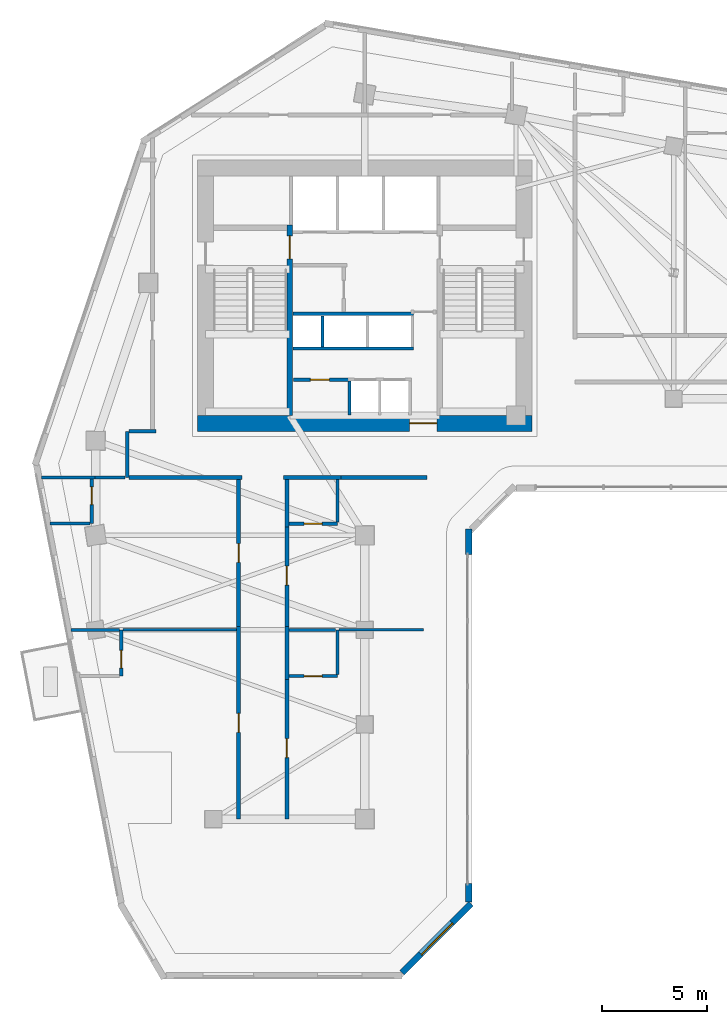
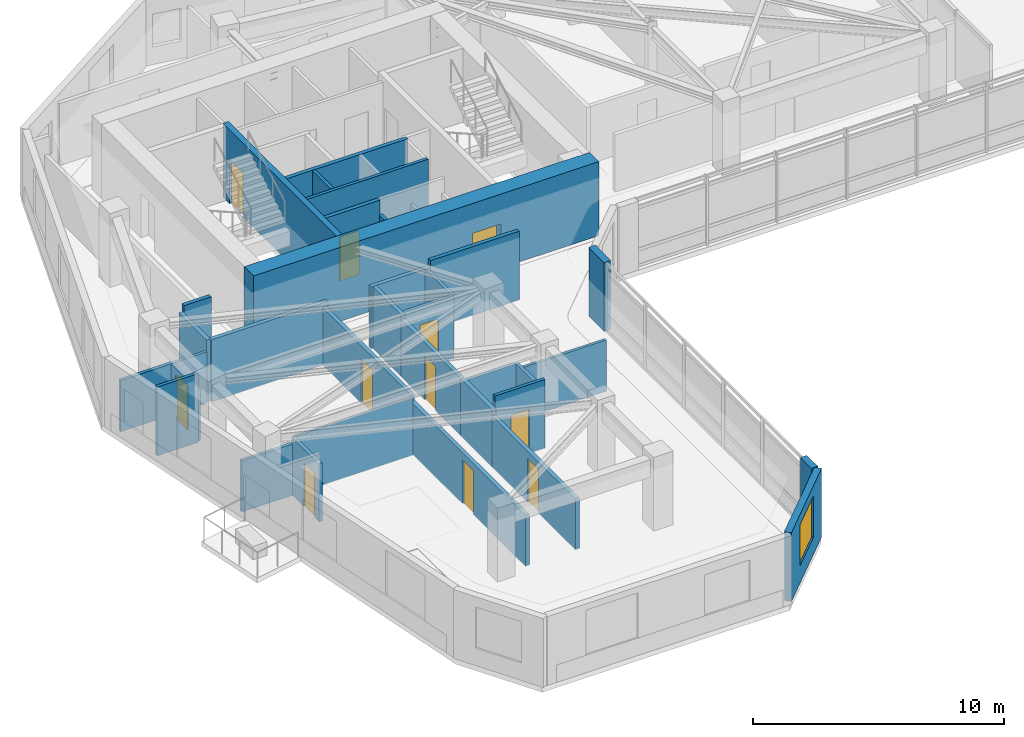
# One storey, part 5 of 11: 34 walls, 11 doors, 1 window, 12 openings.
"""IFC4 building model written with IfcOpenShell, lengths in metres."""

from ifc_helpers import new_model, si_unit, direction, frame, frame_2d, origin, place, context, subcontext, project, spatial, rectangle, extrude, source, transform, mapped, material, layer, layer_set, type_object, element, fill, save


model = new_model("IFC4")

# Units and contexts
model_context = context("Model", 3, precision=1e-05, world=origin(), true_north=direction((0.0, 1.0)))
body_context = subcontext(model_context, "Body", "Model", "MODEL_VIEW")
ifc_project = project(units=[si_unit("LENGTHUNIT", "METRE"), si_unit("AREAUNIT", "SQUARE_METRE"), si_unit("VOLUMEUNIT", "CUBIC_METRE"), si_unit("PLANEANGLEUNIT", "RADIAN"), si_unit("MASSUNIT", "GRAM", prefix="KILO")], contexts=[model_context])

# Site, building, storey
site_placement = place(None, origin())
site = spatial("IfcSite", under=ifc_project, at=site_placement, CompositionType="ELEMENT")
building_placement = place(site_placement, origin())
building = spatial("IfcBuilding", under=site, at=building_placement, Name="Calvemar Wedge Station Tower", CompositionType="ELEMENT")
storey_placement = place(building_placement, frame((0.0, 0.0, 117.800048828125)))
storey = spatial("IfcBuildingStorey", under=building, at=storey_placement, Name="L28", CompositionType="ELEMENT", Elevation=117.800048828125)

# Wall, opening, door
ifc_material_1 = material(Name="Concrete C50", Category="concrete")
ifc_layer_1 = layer(ifc_material_1, 0.260009765625)
ifc_layer_set_1 = layer_set([ifc_layer_1], Name="Concrete C50")
wall_type_1 = type_object("IfcWallType", Name="SW-CORE-260", PredefinedType="SHEAR", material=ifc_layer_set_1)
wall_1_placement = place(storey_placement, frame((20.22998046875, 34.199951171875, 0.0), z_axis=(0.0, 0.0, 1.0), x_axis=(0.0, 1.0, 0.0)))
wall_1 = element("IfcWall", 1, at=wall_1_placement, inside=storey, type_object=wall_type_1, Name="Storey L28 Core Shear Wall SPINE-W", PredefinedType="SHEAR", context=body_context, shape_type="SweptSolid", body=[
    extrude(rectangle(XDim=9.06005859375, YDim=0.260009765625, at=frame_2d((4.530029296875, 0.0))), origin(), (0.0, 0.0, 1.0), 3.599853515625),
])
shared_shape_1 = source(origin(), body_context, "Body", "SweptSolid", [
    extrude(rectangle(XDim=1.10009765625, YDim=2.14990234375, at=frame_2d((0.550048828125, 1.074951171875))), frame((0.0, 0.14013671875, 0.0), z_axis=(0.0, -1.0, 0.0), x_axis=(1.0, 0.0, 0.0)), (0.0, 0.0, 1.0), 0.280029296875),
])
opening_1_placement = place(wall_1_placement, frame((7.449951171875, 0.0, 0.0)))
opening_1 = element("IfcOpeningElement", 2, at=opening_1_placement, cuts=wall_1, Name="Opening FD-90", PredefinedType="OPENING", context=body_context, shape_type="MappedRepresentation", body=[
    mapped(shared_shape_1, transform((0.0, 0.0, 0.0), scale=1.0)),
])
ifc_material_2 = material(Name="Galvanized fire-rated steel door leaf P-90", Category="steel")
door_type_1 = type_object("IfcDoorType", Name="DR-FD90-1100", OperationType="NOTDEFINED", PredefinedType="DOOR", material=ifc_material_2)
shared_shape_2 = source(origin(), body_context, "Body", "SweptSolid", [
    extrude(rectangle(XDim=1.10009765625, YDim=2.14990234375, at=frame_2d((0.550048828125, 1.074951171875))), frame((0.0, 0.02490234375, 0.0), z_axis=(0.0, -1.0, 0.0), x_axis=(1.0, 0.0, 0.0)), (0.0, 0.0, 1.0), 0.050048828125),
])
door_1_placement = place(opening_1_placement, origin())
door_1 = element("IfcDoor", 3, at=door_1_placement, inside=storey, type_object=door_type_1, Name="L28 FF Lobby to Stair ST-C1 Door", OperationType="SINGLE_SWING_RIGHT", OverallHeight=2.14990234375, OverallWidth=1.10009765625, PredefinedType="DOOR", context=body_context, shape_type="MappedRepresentation", body=[
    mapped(shared_shape_2, transform((0.0, 0.0, 0.0), scale=1.0)),
])
fill(opening_1, door_1)

ifc_material_3 = material(Name="Concrete C70", Category="concrete")
ifc_layer_2 = layer(ifc_material_3, 0.75)
ifc_layer_set_2 = layer_set([ifc_layer_2], Name="Concrete C70")
wall_type_2 = type_object("IfcWallType", Name="SW-CORE-750", PredefinedType="SHEAR", material=ifc_layer_set_2)
wall_2_placement = place(storey_placement, frame((15.85009765625, 33.824951171875, 0.0), z_axis=(0.0, 0.0, 1.0), x_axis=(1.0, 0.0, 0.0)))
wall_2 = element("IfcWall", 4, at=wall_2_placement, inside=storey, type_object=wall_type_2, Name="Storey L28 Core Shear Wall S", PredefinedType="SHEAR", context=body_context, shape_type="SweptSolid", body=[
    extrude(rectangle(XDim=15.89990234375, YDim=0.75, at=frame_2d((7.949951171875, 0.0))), origin(), (0.0, 0.0, 1.0), 3.599853515625),
])
shared_shape_3 = source(origin(), body_context, "Body", "SweptSolid", [
    extrude(rectangle(XDim=1.300048828125, YDim=2.14990234375, at=frame_2d((0.64990234375, 1.074951171875))), frame((0.0, 0.385009765625, 0.0), z_axis=(0.0, -1.0, 0.0), x_axis=(1.0, 0.0, 0.0)), (0.0, 0.0, 1.0), 0.77001953125),
])
opening_2_placement = place(wall_2_placement, frame((10.080078125, 0.0, 0.0)))
opening_2 = element("IfcOpeningElement", 5, at=opening_2_placement, cuts=wall_2, Name="Opening DD-130", PredefinedType="OPENING", context=body_context, shape_type="MappedRepresentation", body=[
    mapped(shared_shape_3, transform((0.0, 0.0, 0.0), scale=1.0)),
])
ifc_material_4 = material(Name="Double-leaf lift lobby fire door EI 60")
door_type_2 = type_object("IfcDoorType", Name="DR-DBL-1300", OperationType="DOUBLE_DOOR_SINGLE_SWING", PredefinedType="DOOR", material=ifc_material_4)
shared_shape_4 = source(origin(), body_context, "Body", "SweptSolid", [
    extrude(rectangle(XDim=1.300048828125, YDim=2.14990234375, at=frame_2d((0.64990234375, 1.074951171875))), frame((0.0, 0.02490234375, 0.0), z_axis=(0.0, -1.0, 0.0), x_axis=(1.0, 0.0, 0.0)), (0.0, 0.0, 1.0), 0.050048828125),
])
door_2_placement = place(opening_2_placement, origin())
door_2 = element("IfcDoor", 6, at=door_2_placement, inside=storey, type_object=door_type_2, Name="L28 Passenger Lift Lobby Door", OperationType="DOUBLE_DOOR_SINGLE_SWING", OverallHeight=2.14990234375, OverallWidth=1.300048828125, PredefinedType="DOOR", context=body_context, shape_type="MappedRepresentation", body=[
    mapped(shared_shape_4, transform((0.0, 0.0, 0.0), scale=1.0)),
])
fill(opening_2, door_2)

ifc_material_5 = material(Name="Double-stud fire-rated corridor partition")
ifc_layer_3 = layer(ifc_material_5, 0.179931640625)
ifc_layer_set_3 = layer_set([ifc_layer_3], Name="Double-stud fire-rated corridor partition")
wall_type_3 = type_object("IfcWallType", Name="W-CORR-180", PredefinedType="PARTITIONING", material=ifc_layer_set_3)
wall_3_placement = place(storey_placement, frame((20.419921875, 35.89990234375, 0.0), z_axis=(0.0, 0.0, 1.0), x_axis=(1.0, 0.0, 0.0)))
wall_3 = element("IfcWall", 7, at=wall_3_placement, inside=storey, type_object=wall_type_3, Name="Storey L28 Interior Partition WL-L28-004", PredefinedType="PARTITIONING", context=body_context, shape_type="SweptSolid", body=[
    extrude(rectangle(XDim=2.6201171875, YDim=0.179931640625, at=frame_2d((1.31005859375, 0.0))), origin(), (0.0, 0.0, 1.0), 3.349853515625),
])
shared_shape_5 = source(origin(), body_context, "Body", "SweptSolid", [
    extrude(rectangle(XDim=0.89990234375, YDim=2.14990234375, at=frame_2d((0.449951171875, 1.074951171875))), frame((0.0, 0.10009765625, 0.0), z_axis=(0.0, -1.0, 0.0), x_axis=(1.0, 0.0, 0.0)), (0.0, 0.0, 1.0), 0.199951171875),
])
opening_3_placement = place(wall_3_placement, frame((0.795654296875, 0.0, 0.0)))
opening_3 = element("IfcOpeningElement", 8, at=opening_3_placement, cuts=wall_3, Name="Opening FD-60", PredefinedType="OPENING", context=body_context, shape_type="MappedRepresentation", body=[
    mapped(shared_shape_5, transform((0.0, 0.0, 0.0), scale=1.0)),
])
ifc_material_6 = material(Name="Fire-rated acoustic timber-core entrance door EI 60", Category="wood")
door_type_3 = type_object("IfcDoorType", Name="DR-FD60-900", OperationType="NOTDEFINED", PredefinedType="DOOR", material=ifc_material_6)
shared_shape_6 = source(origin(), body_context, "Body", "SweptSolid", [
    extrude(rectangle(XDim=0.89990234375, YDim=2.14990234375, at=frame_2d((0.449951171875, 1.074951171875))), frame((0.0, 0.02490234375, 0.0), z_axis=(0.0, -1.0, 0.0), x_axis=(1.0, 0.0, 0.0)), (0.0, 0.0, 1.0), 0.050048828125),
])
door_3_placement = place(opening_3_placement, origin())
door_3 = element("IfcDoor", 9, at=door_3_placement, inside=storey, type_object=door_type_3, Name="L28 Housekeeping Store Door", OperationType="SINGLE_SWING_RIGHT", OverallHeight=2.14990234375, OverallWidth=0.89990234375, PredefinedType="DOOR", context=body_context, shape_type="MappedRepresentation", body=[
    mapped(shared_shape_6, transform((0.0, 0.0, 0.0), scale=1.0)),
])
fill(opening_3, door_3)

# Walls
wall_4_placement = place(storey_placement, frame((12.5, 31.25, 0.0), z_axis=(0.0, 0.0, 1.0), x_axis=(0.0, 1.0, 0.0)))
element("IfcWall", 10, at=wall_4_placement, inside=storey, type_object=wall_type_3, Name="Storey L28 Interior Partition WL-L28-005", PredefinedType="PARTITIONING", context=body_context, shape_type="SweptSolid", body=[
    extrude(rectangle(XDim=2.199951171875, YDim=0.179931640625, at=frame_2d((1.10009765625, 0.0))), origin(), (0.0, 0.0, 1.0), 3.01904296875),
])
wall_5_placement = place(storey_placement, frame((12.593994140625, 33.449951171875, 0.0), z_axis=(0.0, 0.0, 1.0), x_axis=(1.0, 0.0, 0.0)))
element("IfcWall", 11, at=wall_5_placement, inside=storey, type_object=wall_type_3, Name="Storey L28 Interior Partition WL-L28-006", PredefinedType="PARTITIONING", context=body_context, shape_type="SweptSolid", body=[
    extrude(rectangle(XDim=1.26611328125, YDim=0.179931640625, at=frame_2d((0.633056640625, 0.0))), origin(), (0.0, 0.0, 1.0), 3.349853515625),
])
wall_6_placement = place(storey_placement, frame((17.9599609375, 31.25, 0.0), z_axis=(0.0, 0.0, 1.0), x_axis=(-1.0, 0.0, 0.0)))
element("IfcWall", 12, at=wall_6_placement, inside=storey, type_object=wall_type_3, Name="Storey L28 Interior Partition WL-L28-007", PredefinedType="PARTITIONING", context=body_context, shape_type="SweptSolid", body=[
    extrude(rectangle(XDim=5.365966796875, YDim=0.179931640625, at=frame_2d((2.68310546875, 0.0))), origin(), (0.0, 0.0, 1.0), 3.01904296875),
])
wall_7_placement = place(storey_placement, frame((22.659912109375, 31.25, 0.0), z_axis=(0.0, 0.0, 1.0), x_axis=(-1.0, 0.0, 0.0)))
element("IfcWall", 13, at=wall_7_placement, inside=storey, type_object=wall_type_3, Name="Storey L28 Interior Partition WL-L28-008", PredefinedType="PARTITIONING", context=body_context, shape_type="SweptSolid", body=[
    extrude(rectangle(XDim=2.719970703125, YDim=0.179931640625, at=frame_2d((1.35986328125, 0.0))), origin(), (0.0, 0.0, 1.0), 3.01904296875),
])
wall_8_placement = place(storey_placement, frame((26.760009765625, 31.25, 0.0), z_axis=(0.0, 0.0, 1.0), x_axis=(-1.0, 0.0, 0.0)))
element("IfcWall", 14, at=wall_8_placement, inside=storey, type_object=wall_type_3, Name="Storey L28 Interior Partition WL-L28-009", PredefinedType="PARTITIONING", context=body_context, shape_type="SweptSolid", body=[
    extrude(rectangle(XDim=4.097900390625, YDim=0.179931640625, at=frame_2d((2.048828125, 0.0))), origin(), (0.0, 0.0, 1.0), 3.349853515625),
])

# Wall, opening, door
wall_9_placement = place(storey_placement, frame((17.800048828125, 15.0, 0.0), z_axis=(0.0, 0.0, 1.0), x_axis=(0.0, 1.0, 0.0)))
wall_9 = element("IfcWall", 15, at=wall_9_placement, inside=storey, type_object=wall_type_3, Name="Storey L28 Interior Partition WL-L28-038", PredefinedType="PARTITIONING", context=body_context, shape_type="SweptSolid", body=[
    extrude(rectangle(XDim=9.159912109375, YDim=0.179931640625, at=frame_2d((4.580078125, 0.0))), origin(), (0.0, 0.0, 1.0), 2.491943359375),
])
opening_4_placement = place(wall_9_placement, frame((4.1298828125, 0.0, 0.0)))
opening_4 = element("IfcOpeningElement", 16, at=opening_4_placement, cuts=wall_9, Name="Opening FD-60", PredefinedType="OPENING", context=body_context, shape_type="MappedRepresentation", body=[
    mapped(shared_shape_5, transform((0.0, 0.0, 0.0), scale=1.0)),
])
door_4_placement = place(opening_4_placement, origin())
door_4 = element("IfcDoor", 17, at=door_4_placement, inside=storey, type_object=door_type_3, Name="L28 Hotel Guest Room Door", OperationType="SINGLE_SWING_RIGHT", OverallHeight=2.14990234375, OverallWidth=0.89990234375, PredefinedType="DOOR", context=body_context, shape_type="MappedRepresentation", body=[
    mapped(shared_shape_6, transform((0.0, 0.0, 0.0), scale=1.0)),
])
fill(opening_4, door_4)

# Wall
wall_10_placement = place(storey_placement, frame((20.10009765625, 24.159912109375, 0.0), z_axis=(0.0, 0.0, 1.0), x_axis=(0.0, -1.0, 0.0)))
element("IfcWall", 18, at=wall_10_placement, inside=storey, type_object=wall_type_3, Name="Storey L28 Interior Partition WL-L28-039", PredefinedType="PARTITIONING", context=body_context, shape_type="SweptSolid", body=[
    extrude(rectangle(XDim=2.52001953125, YDim=0.179931640625, at=frame_2d((1.260009765625, 0.0))), origin(), (0.0, 0.0, 1.0), 2.802978515625),
])

# Wall, opening, door
wall_11_placement = place(storey_placement, frame((20.10009765625, 21.637939453125, 0.0), z_axis=(0.0, 0.0, 1.0), x_axis=(0.0, -1.0, 0.0)))
wall_11 = element("IfcWall", 19, at=wall_11_placement, inside=storey, type_object=wall_type_3, Name="Storey L28 Interior Partition WL-L28-040", PredefinedType="PARTITIONING", context=body_context, shape_type="SweptSolid", body=[
    extrude(rectangle(XDim=6.637939453125, YDim=0.179931640625, at=frame_2d((3.31884765625, 0.0))), origin(), (0.0, 0.0, 1.0), 2.491943359375),
])
opening_5_placement = place(wall_11_placement, frame((2.808837890625, 0.0, 0.0)))
opening_5 = element("IfcOpeningElement", 20, at=opening_5_placement, cuts=wall_11, Name="Opening FD-60", PredefinedType="OPENING", context=body_context, shape_type="MappedRepresentation", body=[
    mapped(shared_shape_5, transform((0.0, 0.0, 0.0), scale=1.0)),
])
door_5_placement = place(opening_5_placement, origin())
door_5 = element("IfcDoor", 21, at=door_5_placement, inside=storey, type_object=door_type_3, Name="L28 Hotel Guest Room Door", OperationType="SINGLE_SWING_RIGHT", OverallHeight=2.14990234375, OverallWidth=0.89990234375, PredefinedType="DOOR", context=body_context, shape_type="MappedRepresentation", body=[
    mapped(shared_shape_6, transform((0.0, 0.0, 0.0), scale=1.0)),
])
fill(opening_5, door_5)

wall_12_placement = place(storey_placement, frame((17.800048828125, 24.162109375, 0.0), z_axis=(0.0, 0.0, 1.0), x_axis=(0.0, 1.0, 0.0)))
wall_12 = element("IfcWall", 22, at=wall_12_placement, inside=storey, type_object=wall_type_3, Name="Storey L28 Interior Partition WL-L28-041", PredefinedType="PARTITIONING", context=body_context, shape_type="SweptSolid", body=[
    extrude(rectangle(XDim=6.993896484375, YDim=0.179931640625, at=frame_2d((3.4970703125, 0.0))), origin(), (0.0, 0.0, 1.0), 2.802978515625),
])
opening_6_placement = place(wall_12_placement, frame((3.047119140625, 0.0, 0.0)))
opening_6 = element("IfcOpeningElement", 23, at=opening_6_placement, cuts=wall_12, Name="Opening FD-60", PredefinedType="OPENING", context=body_context, shape_type="MappedRepresentation", body=[
    mapped(shared_shape_5, transform((0.0, 0.0, 0.0), scale=1.0)),
])
door_6_placement = place(opening_6_placement, origin())
door_6 = element("IfcDoor", 24, at=door_6_placement, inside=storey, type_object=door_type_3, Name="L28 Hotel Guest Room Door", OperationType="SINGLE_SWING_RIGHT", OverallHeight=2.14990234375, OverallWidth=0.89990234375, PredefinedType="DOOR", context=body_context, shape_type="MappedRepresentation", body=[
    mapped(shared_shape_6, transform((0.0, 0.0, 0.0), scale=1.0)),
])
fill(opening_6, door_6)

# Wall
wall_13_placement = place(storey_placement, frame((20.10009765625, 31.156005859375, 0.0), z_axis=(0.0, 0.0, 1.0), x_axis=(0.0, -1.0, 0.0)))
element("IfcWall", 25, at=wall_13_placement, inside=storey, type_object=wall_type_3, Name="Storey L28 Interior Partition WL-L28-042", PredefinedType="PARTITIONING", context=body_context, shape_type="SweptSolid", body=[
    extrude(rectangle(XDim=2.26611328125, YDim=0.179931640625, at=frame_2d((1.133056640625, 0.0))), origin(), (0.0, 0.0, 1.0), 3.01904296875),
])

# Wall, opening, door
wall_14_placement = place(storey_placement, frame((20.10009765625, 28.887939453125, 0.0), z_axis=(0.0, 0.0, 1.0), x_axis=(0.0, -1.0, 0.0)))
wall_14 = element("IfcWall", 26, at=wall_14_placement, inside=storey, type_object=wall_type_3, Name="Storey L28 Interior Partition WL-L28-043", PredefinedType="PARTITIONING", context=body_context, shape_type="SweptSolid", body=[
    extrude(rectangle(XDim=4.725830078125, YDim=0.179931640625, at=frame_2d((2.36279296875, 0.0))), origin(), (0.0, 0.0, 1.0), 2.802978515625),
])
opening_7_placement = place(wall_14_placement, frame((1.8525390625, 0.0, 0.0)))
opening_7 = element("IfcOpeningElement", 27, at=opening_7_placement, cuts=wall_14, Name="Opening FD-60", PredefinedType="OPENING", context=body_context, shape_type="MappedRepresentation", body=[
    mapped(shared_shape_5, transform((0.0, 0.0, 0.0), scale=1.0)),
])
door_7_placement = place(opening_7_placement, origin())
door_7 = element("IfcDoor", 28, at=door_7_placement, inside=storey, type_object=door_type_3, Name="L28 Hotel Guest Room Door", OperationType="SINGLE_SWING_RIGHT", OverallHeight=2.14990234375, OverallWidth=0.89990234375, PredefinedType="DOOR", context=body_context, shape_type="MappedRepresentation", body=[
    mapped(shared_shape_6, transform((0.0, 0.0, 0.0), scale=1.0)),
])
fill(opening_7, door_7)

# Wall, opening, window
ifc_material_7 = material(Name="Precast concrete C45", Category="concrete")
ifc_layer_4 = layer(ifc_material_7, 0.300048828125)
ifc_layer_set_4 = layer_set([ifc_layer_4], Name="Precast concrete C45")
wall_type_4 = type_object("IfcWallType", Name="W-EXT-GFRC-300", PredefinedType="SOLIDWALL", material=ifc_layer_set_4)
wall_15_placement = place(storey_placement, frame((25.572021484375, 7.68798828125, 0.0), z_axis=(0.0, 0.0, 1.0), x_axis=(0.70708046583, 0.707133095564, 0.0)))
wall_15 = element("IfcWall", 29, at=wall_15_placement, inside=storey, type_object=wall_type_4, Name="Storey L28 Bronze GFRC Exterior Wall 3", PredefinedType="SOLIDWALL", context=body_context, shape_type="SweptSolid", body=[
    extrude(rectangle(XDim=4.638916015625, YDim=0.300048828125, at=frame_2d((2.3193359375, 0.0))), origin(), (0.0, 0.0, 1.0), 3.349853515625),
])
shared_shape_7 = source(origin(), body_context, "Body", "SweptSolid", [
    extrude(rectangle(XDim=2.10009765625, YDim=2.0, at=frame_2d((1.050048828125, 1.0))), frame((0.0, 0.16015625, 0.0), z_axis=(0.0, -1.0, 0.0), x_axis=(1.0, 0.0, 0.0)), (0.0, 0.0, 1.0), 0.320068359375),
])
opening_8_placement = place(wall_15_placement, frame((1.26904296875, 0.0, 0.85009765625)))
opening_8 = element("IfcOpeningElement", 30, at=opening_8_placement, cuts=wall_15, Name="Opening W4", PredefinedType="OPENING", context=body_context, shape_type="MappedRepresentation", body=[
    mapped(shared_shape_7, transform((0.0, 0.0, 0.0), scale=1.0)),
])
ifc_material_8 = material(Name="Low-E laminated insulated glass", Category="glass")
window_type = type_object("IfcWindowType", Name="WIN-EXT-4", PartitioningType="SINGLE_PANEL", PredefinedType="WINDOW", material=ifc_material_8)
shared_shape_8 = source(origin(), body_context, "Body", "SweptSolid", [
    extrude(rectangle(XDim=2.10009765625, YDim=2.0, at=frame_2d((1.050048828125, 1.0))), frame((0.0, -0.014892578125, 0.0), z_axis=(0.0, -1.0, 0.0), x_axis=(1.0, 0.0, 0.0)), (0.0, 0.0, 1.0), 0.06005859375),
])
window_placement = place(opening_8_placement, origin())
window = element("IfcWindow", 31, at=window_placement, inside=storey, type_object=window_type, Name="Storey L28 Recessed Window 3.1", OverallHeight=2.0, OverallWidth=2.10009765625, PartitioningType="SINGLE_PANEL", PredefinedType="WINDOW", context=body_context, shape_type="MappedRepresentation", body=[
    mapped(shared_shape_8, transform((0.0, 0.0, 0.0), scale=1.0)),
])
fill(opening_8, window)

# Walls
wall_16_placement = place(storey_placement, frame((28.74609375, 11.057373046875, 0.0), z_axis=(0.0, 0.0, 1.0), x_axis=(0.0, 1.0, 0.0)))
element("IfcWall", 32, at=wall_16_placement, inside=storey, type_object=wall_type_4, Name="Storey L28 Bronze GFRC Corner Pier 4A", PredefinedType="SOLIDWALL", context=body_context, shape_type="SweptSolid", body=[
    extrude(rectangle(XDim=0.88232421875, YDim=0.300048828125, at=frame_2d((0.441162109375, 0.0))), origin(), (0.0, 0.0, 1.0), 3.349853515625),
])
wall_17_placement = place(storey_placement, frame((28.74609375, 27.57666015625, 0.0), z_axis=(0.0, 0.0, 1.0), x_axis=(0.0, 1.0, 0.0)))
element("IfcWall", 33, at=wall_17_placement, inside=storey, type_object=wall_type_4, Name="Storey L28 Bronze GFRC Corner Pier 4B", PredefinedType="SOLIDWALL", context=body_context, shape_type="SweptSolid", body=[
    extrude(rectangle(XDim=1.2275390625, YDim=0.300048828125, at=frame_2d((0.61376953125, 0.0))), origin(), (0.0, 0.0, 1.0), 3.349853515625),
])
ifc_material_9 = material(Name="Reinforced concrete blockwork lift shaft wall", Category="masonry")
ifc_layer_5 = layer(ifc_material_9, 0.139892578125)
ifc_layer_set_5 = layer_set([ifc_layer_5], Name="Reinforced concrete blockwork lift shaft wall")
wall_type_5 = type_object("IfcWallType", Name="W-LIFT-160", PredefinedType="SOLIDWALL", material=ifc_layer_set_5)
wall_18_placement = place(storey_placement, frame((23.070068359375, 34.219970703125, 0.0), z_axis=(0.0, 0.0, 1.0), x_axis=(0.0, 1.0, 0.0)))
element("IfcWall", 34, at=wall_18_placement, inside=storey, type_object=wall_type_5, Name="Storey L28 South Passenger Lift Shaft Wall W", PredefinedType="SOLIDWALL", context=body_context, shape_type="SweptSolid", body=[
    extrude(rectangle(XDim=1.6201171875, YDim=0.139892578125, at=frame_2d((0.81005859375, 0.0))), origin(), (0.0, 0.0, 1.0), 2.641845703125),
])
wall_19_placement = place(storey_placement, frame((20.3798828125, 37.3798828125, 0.0), z_axis=(0.0, 0.0, 1.0), x_axis=(1.0, 0.0, 0.0)))
element("IfcWall", 35, at=wall_19_placement, inside=storey, type_object=wall_type_5, Name="Storey L28 Upper Passenger Lift Bank Front Wall", PredefinedType="SOLIDWALL", context=body_context, shape_type="SweptSolid", body=[
    extrude(rectangle(XDim=5.75, YDim=0.139892578125, at=frame_2d((2.875, 0.0))), origin(), (0.0, 0.0, 1.0), 3.349853515625),
])
wall_20_placement = place(storey_placement, frame((21.794921875, 37.4599609375, 0.0), z_axis=(0.0, 0.0, 1.0), x_axis=(0.0, 1.0, 0.0)))
element("IfcWall", 36, at=wall_20_placement, inside=storey, type_object=wall_type_5, Name="Storey L28 Upper Passenger Lift Shaft Wall D1", PredefinedType="SOLIDWALL", context=body_context, shape_type="SweptSolid", body=[
    extrude(rectangle(XDim=1.47998046875, YDim=0.139892578125, at=frame_2d((0.739990234375, 0.0))), origin(), (0.0, 0.0, 1.0), 3.349853515625),
])
ifc_material_10 = material(Name="Insulated acoustic gypsum stud partition")
ifc_layer_6 = layer(ifc_material_10, 0.125)
ifc_layer_set_6 = layer_set([ifc_layer_6], Name="Insulated acoustic gypsum stud partition")
wall_type_6 = type_object("IfcWallType", Name="W-PART-125", PredefinedType="PARTITIONING", material=ifc_layer_set_6)
wall_21_placement = place(storey_placement, frame((12.406005859375, 31.25, 0.0), z_axis=(0.0, 0.0, 1.0), x_axis=(-1.0, 0.0, 0.0)))
element("IfcWall", 37, at=wall_21_placement, inside=storey, type_object=wall_type_6, Name="Storey L28 Interior Partition WL-L28-017", PredefinedType="PARTITIONING", context=body_context, shape_type="SweptSolid", body=[
    extrude(rectangle(XDim=1.43310546875, YDim=0.125, at=frame_2d((0.716552734375, 0.0))), origin(), (0.0, 0.0, 1.0), 2.491943359375),
])
wall_22_placement = place(storey_placement, frame((12.294677734375, 24.0, 0.0), z_axis=(0.0, 0.0, 1.0), x_axis=(1.0, 0.0, 0.0)))
element("IfcWall", 38, at=wall_22_placement, inside=storey, type_object=wall_type_6, Name="Storey L28 Interior Partition WL-L28-047", PredefinedType="PARTITIONING", context=body_context, shape_type="SweptSolid", body=[
    extrude(rectangle(XDim=5.411376953125, YDim=0.125, at=frame_2d((2.70556640625, 0.0))), origin(), (0.0, 0.0, 1.0), 2.802978515625),
])
wall_23_placement = place(storey_placement, frame((22.5791015625, 24.0, 0.0), z_axis=(0.0, 0.0, 1.0), x_axis=(1.0, 0.0, 0.0)))
element("IfcWall", 39, at=wall_23_placement, inside=storey, type_object=wall_type_6, Name="Storey L28 Interior Partition WL-L28-051", PredefinedType="PARTITIONING", context=body_context, shape_type="SweptSolid", body=[
    extrude(rectangle(XDim=4.02099609375, YDim=0.125, at=frame_2d((2.010498046875, 0.0))), origin(), (0.0, 0.0, 1.0), 2.491943359375),
])
ifc_material_11 = material(Name="Concrete blockwork and fireboard shaft wall", Category="masonry")
ifc_layer_7 = layer(ifc_material_11, 0.199951171875)
ifc_layer_set_7 = layer_set([ifc_layer_7], Name="Concrete blockwork and fireboard shaft wall")
wall_type_7 = type_object("IfcWallType", Name="W-SHAFT-200", PredefinedType="SOLIDWALL", material=ifc_layer_set_7)
wall_24_placement = place(storey_placement, frame((20.3798828125, 39.0400390625, 0.0), z_axis=(0.0, 0.0, 1.0), x_axis=(1.0, 0.0, 0.0)))
element("IfcWall", 40, at=wall_24_placement, inside=storey, type_object=wall_type_7, Name="Storey L28 Upper Passenger Lift Bank Rear Shaft Wall", PredefinedType="SOLIDWALL", context=body_context, shape_type="SweptSolid", body=[
    extrude(rectangle(XDim=5.75, YDim=0.179931640625, at=frame_2d((2.875, 0.0))), origin(), (0.0, 0.0, 1.0), 3.349853515625),
])
ifc_material_12 = material(Name="Moisture-resistant acoustic bathroom partition")
ifc_layer_8 = layer(ifc_material_12, 0.14990234375)
ifc_layer_set_8 = layer_set([ifc_layer_8], Name="Moisture-resistant acoustic bathroom partition")
wall_type_8 = type_object("IfcWallType", Name="W-WET-150", PredefinedType="PARTITIONING", material=ifc_layer_set_8)
wall_25_placement = place(storey_placement, frame((10.970947265625, 31.25, 0.0), z_axis=(0.0, 0.0, 1.0), x_axis=(-1.0, 0.0, 0.0)))
element("IfcWall", 41, at=wall_25_placement, inside=storey, type_object=wall_type_8, Name="Storey L28 Interior Partition WL-L28-016", PredefinedType="PARTITIONING", context=body_context, shape_type="SweptSolid", body=[
    extrude(rectangle(XDim=2.55615234375, YDim=0.14990234375, at=frame_2d((1.278076171875, 0.0))), origin(), (0.0, 0.0, 1.0), 2.491943359375),
])

# Wall, opening, door
wall_26_placement = place(storey_placement, frame((12.215576171875, 24.0, 0.0), z_axis=(0.0, 0.0, 1.0), x_axis=(0.0, -1.0, 0.0)))
wall_26 = element("IfcWall", 42, at=wall_26_placement, inside=storey, type_object=wall_type_8, Name="Storey L28 Interior Partition WL-L28-044", PredefinedType="PARTITIONING", context=body_context, shape_type="SweptSolid", body=[
    extrude(rectangle(XDim=2.199951171875, YDim=0.14990234375, at=frame_2d((1.10009765625, 0.0))), origin(), (0.0, 0.0, 1.0), 2.802978515625),
])
shared_shape_9 = source(origin(), body_context, "Body", "SweptSolid", [
    extrude(rectangle(XDim=0.85009765625, YDim=2.14990234375, at=frame_2d((0.425048828125, 1.074951171875))), frame((0.0, 0.0849609375, 0.0), z_axis=(0.0, -1.0, 0.0), x_axis=(1.0, 0.0, 0.0)), (0.0, 0.0, 1.0), 0.169921875),
])
opening_9_placement = place(wall_26_placement, frame((0.97119140625, 0.0, 0.0)))
opening_9 = element("IfcOpeningElement", 43, at=opening_9_placement, cuts=wall_26, Name="Opening D-02", PredefinedType="OPENING", context=body_context, shape_type="MappedRepresentation", body=[
    mapped(shared_shape_9, transform((0.0, 0.0, 0.0), scale=1.0)),
])
ifc_material_13 = material(Name="Moisture-sealed bathroom hardwood swing door", Category="wood")
door_type_4 = type_object("IfcDoorType", Name="DR-WET-850", OperationType="NOTDEFINED", PredefinedType="DOOR", material=ifc_material_13)
shared_shape_10 = source(origin(), body_context, "Body", "SweptSolid", [
    extrude(rectangle(XDim=0.85009765625, YDim=2.14990234375, at=frame_2d((0.425048828125, 1.074951171875))), frame((0.0, 0.02490234375, 0.0), z_axis=(0.0, -1.0, 0.0), x_axis=(1.0, 0.0, 0.0)), (0.0, 0.0, 1.0), 0.050048828125),
])
door_8_placement = place(opening_9_placement, origin())
door_8 = element("IfcDoor", 44, at=door_8_placement, inside=storey, type_object=door_type_4, Name="L28 En-Suite Bathroom Door", OperationType="SINGLE_SWING_LEFT", OverallHeight=2.14990234375, OverallWidth=0.85009765625, PredefinedType="DOOR", context=body_context, shape_type="MappedRepresentation", body=[
    mapped(shared_shape_10, transform((0.0, 0.0, 0.0), scale=1.0)),
])
fill(opening_9, door_8)

# Wall
wall_27_placement = place(storey_placement, frame((9.815673828125, 24.0, 0.0), z_axis=(0.0, 0.0, 1.0), x_axis=(1.0, 0.0, 0.0)))
element("IfcWall", 45, at=wall_27_placement, inside=storey, type_object=wall_type_8, Name="Storey L28 Interior Partition WL-L28-046", PredefinedType="PARTITIONING", context=body_context, shape_type="SweptSolid", body=[
    extrude(rectangle(XDim=2.321044921875, YDim=0.14990234375, at=frame_2d((1.16064453125, 0.0))), origin(), (0.0, 0.0, 1.0), 2.491943359375),
])

# Wall, opening, door
wall_28_placement = place(storey_placement, frame((22.5, 21.800048828125, 0.0), z_axis=(0.0, 0.0, 1.0), x_axis=(-1.0, 0.0, 0.0)))
wall_28 = element("IfcWall", 46, at=wall_28_placement, inside=storey, type_object=wall_type_8, Name="Storey L28 Interior Partition WL-L28-048", PredefinedType="PARTITIONING", context=body_context, shape_type="SweptSolid", body=[
    extrude(rectangle(XDim=2.305908203125, YDim=0.14990234375, at=frame_2d((1.15283203125, 0.0))), origin(), (0.0, 0.0, 1.0), 3.349853515625),
])
opening_10_placement = place(wall_28_placement, frame((0.72802734375, 0.0, 0.0)))
opening_10 = element("IfcOpeningElement", 47, at=opening_10_placement, cuts=wall_28, Name="Opening D-02", PredefinedType="OPENING", context=body_context, shape_type="MappedRepresentation", body=[
    mapped(shared_shape_9, transform((0.0, 0.0, 0.0), scale=1.0)),
])
door_9_placement = place(opening_10_placement, origin())
door_9 = element("IfcDoor", 48, at=door_9_placement, inside=storey, type_object=door_type_4, Name="L28 En-Suite Bathroom Door", OperationType="SINGLE_SWING_LEFT", OverallHeight=2.14990234375, OverallWidth=0.85009765625, PredefinedType="DOOR", context=body_context, shape_type="MappedRepresentation", body=[
    mapped(shared_shape_10, transform((0.0, 0.0, 0.0), scale=1.0)),
])
fill(opening_10, door_9)

# Walls
wall_29_placement = place(storey_placement, frame((22.5, 24.0, 0.0), z_axis=(0.0, 0.0, 1.0), x_axis=(0.0, -1.0, 0.0)))
element("IfcWall", 49, at=wall_29_placement, inside=storey, type_object=wall_type_8, Name="Storey L28 Interior Partition WL-L28-049", PredefinedType="PARTITIONING", context=body_context, shape_type="SweptSolid", body=[
    extrude(rectangle(XDim=2.12109375, YDim=0.14990234375, at=frame_2d((1.060546875, 0.0))), origin(), (0.0, 0.0, 1.0), 2.802978515625),
])
wall_30_placement = place(storey_placement, frame((20.194091796875, 24.0, 0.0), z_axis=(0.0, 0.0, 1.0), x_axis=(1.0, 0.0, 0.0)))
element("IfcWall", 50, at=wall_30_placement, inside=storey, type_object=wall_type_8, Name="Storey L28 Interior Partition WL-L28-050", PredefinedType="PARTITIONING", context=body_context, shape_type="SweptSolid", body=[
    extrude(rectangle(XDim=2.226806640625, YDim=0.14990234375, at=frame_2d((1.11328125, 0.0))), origin(), (0.0, 0.0, 1.0), 2.802978515625),
])

# Wall, opening, door
wall_31_placement = place(storey_placement, frame((10.810791015625, 31.1708984375, 0.0), z_axis=(0.0, 0.0, 1.0), x_axis=(0.0, -1.0, 0.0)))
wall_31 = element("IfcWall", 51, at=wall_31_placement, inside=storey, type_object=wall_type_8, Name="Storey L28 Interior Partition WL-L28-052", PredefinedType="PARTITIONING", context=body_context, shape_type="SweptSolid", body=[
    extrude(rectangle(XDim=2.100830078125, YDim=0.14990234375, at=frame_2d((1.05029296875, 0.0))), origin(), (0.0, 0.0, 1.0), 2.491943359375),
])
opening_11_placement = place(wall_31_placement, frame((0.366455078125, 0.0, 0.0)))
opening_11 = element("IfcOpeningElement", 52, at=opening_11_placement, cuts=wall_31, Name="Opening D-02", PredefinedType="OPENING", context=body_context, shape_type="MappedRepresentation", body=[
    mapped(shared_shape_9, transform((0.0, 0.0, 0.0), scale=1.0)),
])
door_10_placement = place(opening_11_placement, origin())
door_10 = element("IfcDoor", 53, at=door_10_placement, inside=storey, type_object=door_type_4, Name="L28 En-Suite Bathroom Door", OperationType="SINGLE_SWING_LEFT", OverallHeight=2.14990234375, OverallWidth=0.85009765625, PredefinedType="DOOR", context=body_context, shape_type="MappedRepresentation", body=[
    mapped(shared_shape_10, transform((0.0, 0.0, 0.0), scale=1.0)),
])
fill(opening_11, door_10)

# Wall
wall_32_placement = place(storey_placement, frame((10.73193359375, 29.070068359375, 0.0), z_axis=(0.0, 0.0, 1.0), x_axis=(-1.0, 0.0, 0.0)))
element("IfcWall", 54, at=wall_32_placement, inside=storey, type_object=wall_type_8, Name="Storey L28 Interior Partition WL-L28-053", PredefinedType="PARTITIONING", context=body_context, shape_type="SweptSolid", body=[
    extrude(rectangle(XDim=1.89599609375, YDim=0.14990234375, at=frame_2d((0.947998046875, 0.0))), origin(), (0.0, 0.0, 1.0), 3.349853515625),
])

# Wall, opening, door
wall_33_placement = place(storey_placement, frame((22.5, 29.050048828125, 0.0), z_axis=(0.0, 0.0, 1.0), x_axis=(-1.0, 0.0, 0.0)))
wall_33 = element("IfcWall", 55, at=wall_33_placement, inside=storey, type_object=wall_type_8, Name="Storey L28 Interior Partition WL-L28-054", PredefinedType="PARTITIONING", context=body_context, shape_type="SweptSolid", body=[
    extrude(rectangle(XDim=2.305908203125, YDim=0.14990234375, at=frame_2d((1.15283203125, 0.0))), origin(), (0.0, 0.0, 1.0), 3.01904296875),
])
opening_12_placement = place(wall_33_placement, frame((0.72802734375, 0.0, 0.0)))
opening_12 = element("IfcOpeningElement", 56, at=opening_12_placement, cuts=wall_33, Name="Opening D-02", PredefinedType="OPENING", context=body_context, shape_type="MappedRepresentation", body=[
    mapped(shared_shape_9, transform((0.0, 0.0, 0.0), scale=1.0)),
])
door_11_placement = place(opening_12_placement, origin())
door_11 = element("IfcDoor", 57, at=door_11_placement, inside=storey, type_object=door_type_4, Name="L28 En-Suite Bathroom Door", OperationType="SINGLE_SWING_LEFT", OverallHeight=2.14990234375, OverallWidth=0.85009765625, PredefinedType="DOOR", context=body_context, shape_type="MappedRepresentation", body=[
    mapped(shared_shape_10, transform((0.0, 0.0, 0.0), scale=1.0)),
])
fill(opening_12, door_11)

# Wall
wall_34_placement = place(storey_placement, frame((22.5, 31.156005859375, 0.0), z_axis=(0.0, 0.0, 1.0), x_axis=(0.0, -1.0, 0.0)))
element("IfcWall", 58, at=wall_34_placement, inside=storey, type_object=wall_type_8, Name="Storey L28 Interior Partition WL-L28-055", PredefinedType="PARTITIONING", context=body_context, shape_type="SweptSolid", body=[
    extrude(rectangle(XDim=2.027099609375, YDim=0.14990234375, at=frame_2d((1.013671875, 0.0))), origin(), (0.0, 0.0, 1.0), 3.01904296875),
])

save(model, "model.ifc")
